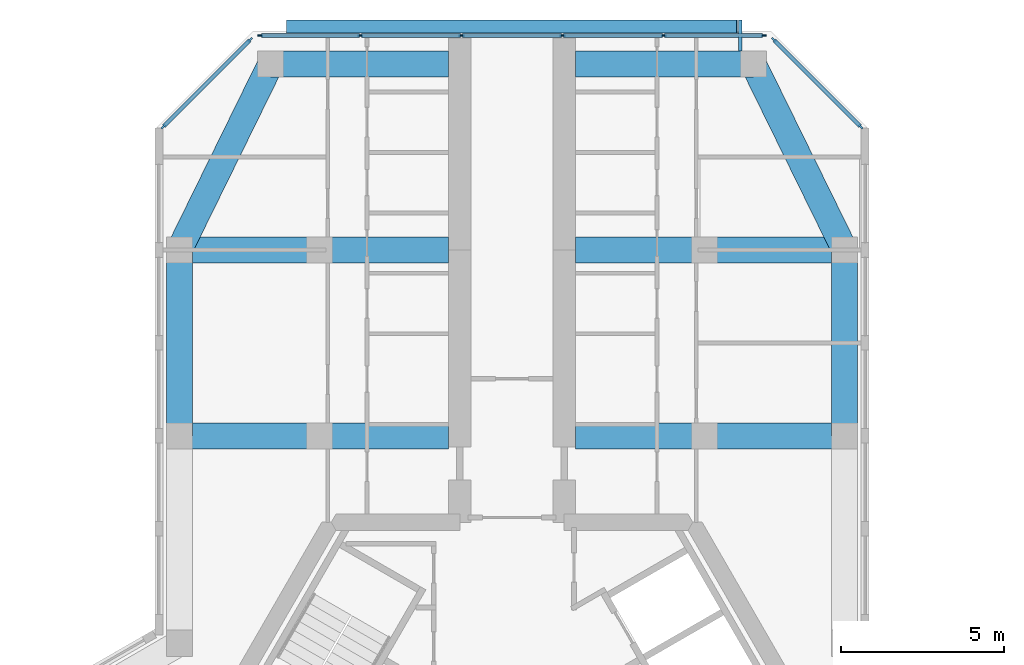
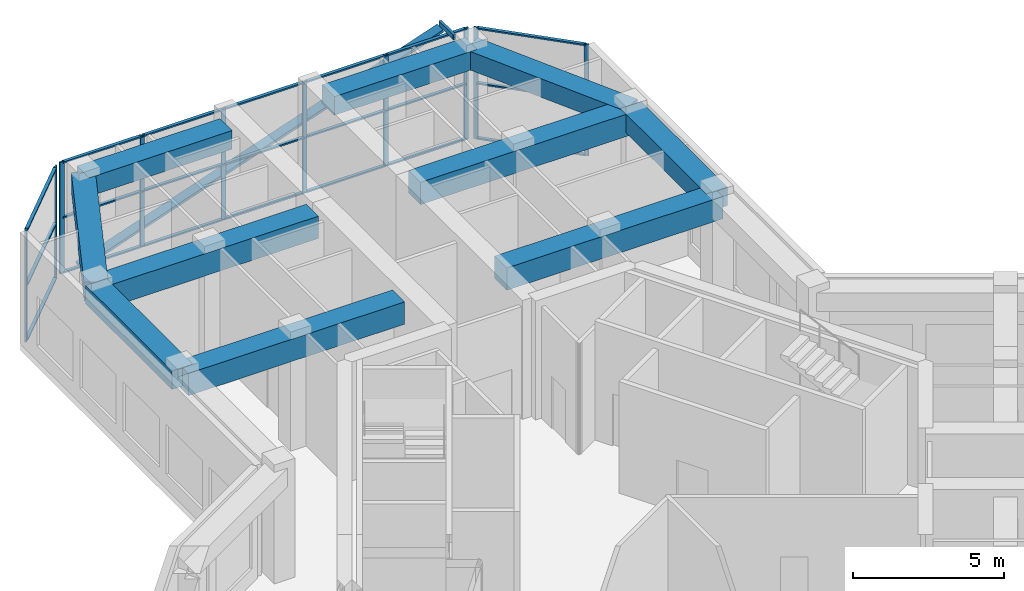
# One storey, part 5 of 14: 33 members, 10 beams, 3 elements without a shape of their own.
"""IFC4 building model written with IfcOpenShell, lengths in metres."""

from ifc_helpers import new_model, si_unit, direction, frame, origin, origin_2d, place, context, subcontext, project, spatial, rectangle, hollow_rectangle, extrude, material, material_profile, profile_set, type_object, element, aggregate, save


model = new_model("IFC4")

# Units and contexts
model_context = context("Model", 3, precision=1e-05, world=origin(), true_north=direction((0.0, 1.0)))
body_context = subcontext(model_context, "Body", "Model", "MODEL_VIEW")
ifc_project = project(units=[si_unit("LENGTHUNIT", "METRE"), si_unit("AREAUNIT", "SQUARE_METRE"), si_unit("VOLUMEUNIT", "CUBIC_METRE"), si_unit("PLANEANGLEUNIT", "RADIAN"), si_unit("MASSUNIT", "GRAM", prefix="KILO")], contexts=[model_context])

# Site, building, storey
site_placement = place(None, origin())
site = spatial("IfcSite", under=ifc_project, at=site_placement, CompositionType="ELEMENT")
building_placement = place(site_placement, origin())
building = spatial("IfcBuilding", under=site, at=building_placement, Name="Kosmar Iwan School Tower", CompositionType="ELEMENT")
storey_placement = place(building_placement, frame((0.0, 0.0, 296.199951171875)))
storey = spatial("IfcBuildingStorey", under=building, at=storey_placement, Name="L75", CompositionType="ELEMENT", Elevation=296.199951171875)

# Members
ifc_material_1 = material(Name="Black anodised aluminium", Category="aluminium")
ifc_material_profile_1 = material_profile(ifc_material_1, rectangle(XDim=0.10009765625, YDim=0.39990234375, at=origin_2d()), Name="FIN 100x400")
ifc_profile_set_1 = profile_set([ifc_material_profile_1], Name="Black anodised aluminium")
member_type_1 = type_object("IfcMemberType", Name="Diagonal fin 100x400", PredefinedType="USERDEFINED", material=ifc_profile_set_1)
member_1_placement = place(storey_placement, frame((-6.898193359375, 24.800048828125, -0.14990234375), z_axis=(0.945528636551, 0.0, 0.325538933865), x_axis=(-0.325538933865, 0.0, 0.945528636551)))
element("IfcMember", 1, at=member_1_placement, inside=storey, type_object=member_type_1, Name="Diagonal fin L75-F08", ObjectType="FIN", PredefinedType="USERDEFINED", context=body_context, shape_type="SweptSolid", body=[
    extrude(rectangle(XDim=0.10009765625, YDim=0.39990234375, at=origin_2d()), origin(), (0.0, 0.0, 1.0), 14.59130859375),
])
ifc_material_2 = material(Name="Steel S355", Category="steel")
ifc_material_profile_2 = material_profile(ifc_material_2, hollow_rectangle(XDim=0.10009765625, YDim=0.199951171875, WallThickness=0.008056640625, at=origin_2d()), Name="RHS 200x100x8")
ifc_profile_set_2 = profile_set([ifc_material_profile_2], Name="Steel S355")
member_type_2 = type_object("IfcMemberType", Name="Fin bracket RHS 200x100", PredefinedType="USERDEFINED", material=ifc_profile_set_2)
member_2_placement = place(storey_placement, frame((7.0, 24.050048828125, 4.650146484375), z_axis=(0.0, 1.0, 0.0), x_axis=(-1.0, 0.0, 0.0)))
element("IfcMember", 2, at=member_2_placement, inside=storey, type_object=member_type_2, Name="Fin bracket RF", ObjectType="FIN BRACKET", PredefinedType="USERDEFINED", context=body_context, shape_type="SweptSolid", body=[
    extrude(hollow_rectangle(XDim=0.10009765625, YDim=0.199951171875, WallThickness=0.008056640625, at=origin_2d()), origin(), (0.0, 0.0, 1.0), 0.949951171875),
])

# Curtain wall, members
ifc_material_3 = material(Name="Dark glass in black aluminium frame", Category="aluminium")
curtain_wall_type = type_object("IfcCurtainWallType", Name="Top floor curtain wall", PredefinedType="USERDEFINED", material=ifc_material_3)
curtain_wall_1_placement = place(storey_placement, origin())
curtain_wall_1 = element("IfcCurtainWall", 3, at=curtain_wall_1_placement, inside=storey, type_object=curtain_wall_type, Name="Curtain wall L75-F07", ObjectType="FULL HEIGHT CURTAIN WALL", PredefinedType="USERDEFINED")
ifc_material_4 = material(Name="Black anodised aluminium", Category="aluminium")
ifc_material_profile_3 = material_profile(ifc_material_4, rectangle(XDim=0.06005859375, YDim=0.159912109375, at=origin_2d()), Name="MULLION 60x160")
ifc_profile_set_3 = profile_set([ifc_material_profile_3], Name="Black anodised aluminium")
member_type_3 = type_object("IfcMemberType", Name="Mullion 60x160", PredefinedType="MULLION", material=ifc_profile_set_3)
member_3_placement = place(storey_placement, frame((10.69775390625, 21.7255859375, 0.0), z_axis=(0.0, 0.0, 1.0), x_axis=(-0.707106781187, -0.707106781187, 0.0)))
member_3 = element("IfcMember", 4, at=member_3_placement, type_object=member_type_3, Name="CW5 mullion 1", PredefinedType="MULLION", context=body_context, shape_type="SweptSolid", body=[
    extrude(rectangle(XDim=0.06005859375, YDim=0.159912109375, at=origin_2d()), origin(), (0.0, 0.0, 1.0), 4.5),
])
member_4_placement = place(storey_placement, frame((8.025390625, 24.397705078125, 0.0), z_axis=(0.0, 0.0, 1.0), x_axis=(-0.707106781187, -0.707106781187, 0.0)))
member_4 = element("IfcMember", 5, at=member_4_placement, type_object=member_type_3, Name="CW5 mullion 2", PredefinedType="MULLION", context=body_context, shape_type="SweptSolid", body=[
    extrude(rectangle(XDim=0.06005859375, YDim=0.159912109375, at=origin_2d()), origin(), (0.0, 0.0, 1.0), 4.5),
])

curtain_wall_2_placement = place(storey_placement, origin())
curtain_wall_2 = element("IfcCurtainWall", 6, at=curtain_wall_2_placement, inside=storey, type_object=curtain_wall_type, Name="Curtain wall L75-F08", ObjectType="FULL HEIGHT CURTAIN WALL", PredefinedType="USERDEFINED")
member_5_placement = place(storey_placement, frame((7.71826171875, 24.52490234375, 0.0), z_axis=(0.0, 0.0, 1.0), x_axis=(0.0, -1.0, 0.0)))
member_5 = element("IfcMember", 7, at=member_5_placement, type_object=member_type_3, Name="CW5 mullion 1", PredefinedType="MULLION", context=body_context, shape_type="SweptSolid", body=[
    extrude(rectangle(XDim=0.06005859375, YDim=0.159912109375, at=origin_2d()), origin(), (0.0, 0.0, 1.0), 4.5),
])
member_6_placement = place(storey_placement, frame((4.64892578125, 24.52490234375, 0.0), z_axis=(0.0, 0.0, 1.0), x_axis=(0.0, -1.0, 0.0)))
member_6 = element("IfcMember", 8, at=member_6_placement, type_object=member_type_3, Name="CW5 mullion 2", PredefinedType="MULLION", context=body_context, shape_type="SweptSolid", body=[
    extrude(rectangle(XDim=0.06005859375, YDim=0.159912109375, at=origin_2d()), origin(), (0.0, 0.0, 1.0), 4.5),
])
member_7_placement = place(storey_placement, frame((1.549560546875, 24.52490234375, 0.0), z_axis=(0.0, 0.0, 1.0), x_axis=(0.0, -1.0, 0.0)))
member_7 = element("IfcMember", 9, at=member_7_placement, type_object=member_type_3, Name="CW5 mullion 3", PredefinedType="MULLION", context=body_context, shape_type="SweptSolid", body=[
    extrude(rectangle(XDim=0.06005859375, YDim=0.159912109375, at=origin_2d()), origin(), (0.0, 0.0, 1.0), 4.5),
])
member_8_placement = place(storey_placement, frame((-1.549560546875, 24.52490234375, 0.0), z_axis=(0.0, 0.0, 1.0), x_axis=(0.0, -1.0, 0.0)))
member_8 = element("IfcMember", 10, at=member_8_placement, type_object=member_type_3, Name="CW5 mullion 4", PredefinedType="MULLION", context=body_context, shape_type="SweptSolid", body=[
    extrude(rectangle(XDim=0.06005859375, YDim=0.159912109375, at=origin_2d()), origin(), (0.0, 0.0, 1.0), 4.5),
])
member_9_placement = place(storey_placement, frame((-4.64892578125, 24.52490234375, 0.0), z_axis=(0.0, 0.0, 1.0), x_axis=(0.0, -1.0, 0.0)))
member_9 = element("IfcMember", 11, at=member_9_placement, type_object=member_type_3, Name="CW5 mullion 5", PredefinedType="MULLION", context=body_context, shape_type="SweptSolid", body=[
    extrude(rectangle(XDim=0.06005859375, YDim=0.159912109375, at=origin_2d()), origin(), (0.0, 0.0, 1.0), 4.5),
])
member_10_placement = place(storey_placement, frame((-7.71826171875, 24.52490234375, 0.0), z_axis=(0.0, 0.0, 1.0), x_axis=(0.0, -1.0, 0.0)))
member_10 = element("IfcMember", 12, at=member_10_placement, type_object=member_type_3, Name="CW5 mullion 6", PredefinedType="MULLION", context=body_context, shape_type="SweptSolid", body=[
    extrude(rectangle(XDim=0.06005859375, YDim=0.159912109375, at=origin_2d()), origin(), (0.0, 0.0, 1.0), 4.5),
])

curtain_wall_3_placement = place(storey_placement, origin())
curtain_wall_3 = element("IfcCurtainWall", 13, at=curtain_wall_3_placement, inside=storey, type_object=curtain_wall_type, Name="Curtain wall L75-F09", ObjectType="FULL HEIGHT CURTAIN WALL", PredefinedType="USERDEFINED")
member_11_placement = place(storey_placement, frame((-8.025390625, 24.397705078125, 0.0), z_axis=(0.0, 0.0, 1.0), x_axis=(0.707106781187, -0.707106781187, 0.0)))
member_11 = element("IfcMember", 14, at=member_11_placement, type_object=member_type_3, Name="CW5 mullion 1", PredefinedType="MULLION", context=body_context, shape_type="SweptSolid", body=[
    extrude(rectangle(XDim=0.06005859375, YDim=0.159912109375, at=origin_2d()), origin(), (0.0, 0.0, 1.0), 4.5),
])
member_12_placement = place(storey_placement, frame((-10.69775390625, 21.7255859375, 0.0), z_axis=(0.0, 0.0, 1.0), x_axis=(0.707106781187, -0.707106781187, 0.0)))
member_12 = element("IfcMember", 15, at=member_12_placement, type_object=member_type_3, Name="CW5 mullion 2", PredefinedType="MULLION", context=body_context, shape_type="SweptSolid", body=[
    extrude(rectangle(XDim=0.06005859375, YDim=0.159912109375, at=origin_2d()), origin(), (0.0, 0.0, 1.0), 4.5),
])

# Beams
ifc_material_5 = material(Name="Concrete C50/60", Category="concrete")
ifc_material_profile_4 = material_profile(ifc_material_5, rectangle(XDim=0.800048828125, YDim=0.75, at=origin_2d()), Name="RC 800x750")
ifc_profile_set_4 = profile_set([ifc_material_profile_4], Name="Concrete C50/60")
beam_type_1 = type_object("IfcBeamType", Name="RC edge beam 800x750", PredefinedType="BEAM", material=ifc_profile_set_4)
for number, where, z_axis, x_axis, name in (
    (16, (-10.199951171875, 12.25, 4.125), (0.0, 1.0, 0.0), (-1.0, 0.0, 0.0), "Edge beam AL2"),
    (17, (10.199951171875, 12.25, 4.125), (0.0, 1.0, 0.0), (-1.0, 0.0, 0.0), "Edge beam AR2"),
):
    element("IfcBeam", number, at=place(storey_placement, frame(where, z_axis=z_axis, x_axis=x_axis)), inside=storey, type_object=beam_type_1, Name=name, PredefinedType="BEAM", context=body_context, shape_type="SweptSolid", body=[
        extrude(rectangle(XDim=0.800048828125, YDim=0.75, at=origin_2d()), origin(), (0.0, 0.0, 1.0), 5.699951171875),
    ])
ifc_material_6 = material(Name="Concrete C50/60", Category="concrete")
ifc_material_profile_5 = material_profile(ifc_material_6, rectangle(XDim=0.800048828125, YDim=0.75, at=origin_2d()), Name="RC 800x750")
ifc_profile_set_5 = profile_set([ifc_material_profile_5], Name="Concrete C50/60")
beam_type_2 = type_object("IfcBeamType", Name="RC tip beam 800x750", PredefinedType="BEAM", material=ifc_profile_set_5)
beam_1_placement = place(storey_placement, frame((-10.199951171875, 17.949951171875, 4.125), z_axis=(0.440913116462, 0.897549788999, 0.0), x_axis=(-0.897549788999, 0.440913116462, 0.0)))
element("IfcBeam", 18, at=beam_1_placement, inside=storey, type_object=beam_type_2, Name="Tip beam AL", PredefinedType="BEAM", context=body_context, shape_type="SweptSolid", body=[
    extrude(rectangle(XDim=0.800048828125, YDim=0.75, at=origin_2d()), origin(), (0.0, 0.0, 1.0), 6.3505859375),
])
beam_2_placement = place(storey_placement, frame((-7.39990234375, 23.64990234375, 4.125), z_axis=(1.0, 0.0, 0.0), x_axis=(0.0, 1.0, 0.0)))
element("IfcBeam", 19, at=beam_2_placement, inside=storey, type_object=beam_type_2, Name="Tip beam AL to corridor wall", PredefinedType="BEAM", context=body_context, shape_type="SweptSolid", body=[
    extrude(rectangle(XDim=0.800048828125, YDim=0.75, at=origin_2d()), origin(), (0.0, 0.0, 1.0), 5.449951171875),
])
beam_3_placement = place(storey_placement, frame((10.199951171875, 17.949951171875, 4.125), z_axis=(-0.440913116462, 0.897549788999, 0.0), x_axis=(-0.897549788999, -0.440913116462, 0.0)))
element("IfcBeam", 20, at=beam_3_placement, inside=storey, type_object=beam_type_2, Name="Tip beam AR", PredefinedType="BEAM", context=body_context, shape_type="SweptSolid", body=[
    extrude(rectangle(XDim=0.800048828125, YDim=0.75, at=origin_2d()), origin(), (0.0, 0.0, 1.0), 6.3505859375),
])
beam_4_placement = place(storey_placement, frame((7.39990234375, 23.64990234375, 4.125), z_axis=(-1.0, 0.0, 0.0), x_axis=(0.0, -1.0, 0.0)))
element("IfcBeam", 21, at=beam_4_placement, inside=storey, type_object=beam_type_2, Name="Tip beam AR to corridor wall", PredefinedType="BEAM", context=body_context, shape_type="SweptSolid", body=[
    extrude(rectangle(XDim=0.800048828125, YDim=0.75, at=origin_2d()), origin(), (0.0, 0.0, 1.0), 5.449951171875),
])
ifc_material_7 = material(Name="Concrete C50/60", Category="concrete")
ifc_material_profile_6 = material_profile(ifc_material_7, rectangle(XDim=0.800048828125, YDim=0.89990234375, at=origin_2d()), Name="RC 800x900")
ifc_profile_set_6 = profile_set([ifc_material_profile_6], Name="Concrete C50/60")
beam_type_3 = type_object("IfcBeamType", Name="RC transverse beam 800x900", PredefinedType="BEAM", material=ifc_profile_set_6)
for number, where, z_axis, x_axis, name in (
    (22, (-10.199951171875, 12.25, 4.050048828125), (1.0, 0.0, 0.0), (0.0, 1.0, 0.0), "Transverse beam AL1"),
    (23, (-10.199951171875, 17.949951171875, 4.050048828125), (1.0, 0.0, 0.0), (0.0, 1.0, 0.0), "Transverse beam AL2"),
    (24, (10.199951171875, 12.25, 4.050048828125), (-1.0, 0.0, 0.0), (0.0, -1.0, 0.0), "Transverse beam AR1"),
    (25, (10.199951171875, 17.949951171875, 4.050048828125), (-1.0, 0.0, 0.0), (0.0, -1.0, 0.0), "Transverse beam AR2"),
):
    element("IfcBeam", number, at=place(storey_placement, frame(where, z_axis=z_axis, x_axis=x_axis)), inside=storey, type_object=beam_type_3, Name=name, PredefinedType="BEAM", context=body_context, shape_type="SweptSolid", body=[
        extrude(rectangle(XDim=0.800048828125, YDim=0.89990234375, at=origin_2d()), origin(), (0.0, 0.0, 1.0), 8.25),
    ])

# Member
ifc_material_8 = material(Name="Black anodised aluminium", Category="aluminium")
ifc_material_profile_7 = material_profile(ifc_material_8, rectangle(XDim=0.1201171875, YDim=0.06005859375, at=origin_2d()), Name="TRANSOM 60x120")
ifc_profile_set_7 = profile_set([ifc_material_profile_7], Name="Black anodised aluminium")
member_type_4 = type_object("IfcMemberType", Name="Transom 60x120", PredefinedType="USERDEFINED", material=ifc_profile_set_7)
member_13_placement = place(storey_placement, frame((10.676513671875, 21.746826171875, 0.030029296875), z_axis=(-0.707139603466, 0.707073957383, 0.0), x_axis=(-0.707073957383, -0.707139603466, 0.0)))
member_13 = element("IfcMember", 26, at=member_13_placement, type_object=member_type_4, Name="CW5 transom 1.1", ObjectType="TRANSOM", PredefinedType="USERDEFINED", context=body_context, shape_type="SweptSolid", body=[
    extrude(rectangle(XDim=0.1201171875, YDim=0.06005859375, at=origin_2d()), origin(), (0.0, 0.0, 1.0), 3.718994140625),
])

member_14_placement = place(storey_placement, frame((10.676513671875, 21.746826171875, 2.25), z_axis=(-0.707139603466, 0.707073957383, 0.0), x_axis=(-0.707073957383, -0.707139603466, 0.0)))
member_14 = element("IfcMember", 27, at=member_14_placement, type_object=member_type_4, Name="CW5 transom 1.2", ObjectType="TRANSOM", PredefinedType="USERDEFINED", context=body_context, shape_type="SweptSolid", body=[
    extrude(rectangle(XDim=0.1201171875, YDim=0.06005859375, at=origin_2d()), origin(), (0.0, 0.0, 1.0), 3.718994140625),
])

member_15_placement = place(storey_placement, frame((10.676513671875, 21.746826171875, 4.469970703125), z_axis=(-0.707139603466, 0.707073957383, 0.0), x_axis=(-0.707073957383, -0.707139603466, 0.0)))
member_15 = element("IfcMember", 28, at=member_15_placement, type_object=member_type_4, Name="CW5 transom 1.3", ObjectType="TRANSOM", PredefinedType="USERDEFINED", context=body_context, shape_type="SweptSolid", body=[
    extrude(rectangle(XDim=0.1201171875, YDim=0.06005859375, at=origin_2d()), origin(), (0.0, 0.0, 1.0), 3.718994140625),
])

aggregate(curtain_wall_1, [member_3, member_4, member_13, member_14, member_15])

member_16_placement = place(storey_placement, frame((7.688232421875, 24.52490234375, 0.030029296875), z_axis=(-1.0, 0.0, 0.0), x_axis=(0.0, -1.0, 0.0)))
member_16 = element("IfcMember", 29, at=member_16_placement, type_object=member_type_4, Name="CW5 transom 1.1", ObjectType="TRANSOM", PredefinedType="USERDEFINED", context=body_context, shape_type="SweptSolid", body=[
    extrude(rectangle(XDim=0.1201171875, YDim=0.06005859375, at=origin_2d()), origin(), (0.0, 0.0, 1.0), 3.00927734375),
])

member_17_placement = place(storey_placement, frame((7.688232421875, 24.52490234375, 2.25), z_axis=(-1.0, 0.0, 0.0), x_axis=(0.0, -1.0, 0.0)))
member_17 = element("IfcMember", 30, at=member_17_placement, type_object=member_type_4, Name="CW5 transom 1.2", ObjectType="TRANSOM", PredefinedType="USERDEFINED", context=body_context, shape_type="SweptSolid", body=[
    extrude(rectangle(XDim=0.1201171875, YDim=0.06005859375, at=origin_2d()), origin(), (0.0, 0.0, 1.0), 3.00927734375),
])

member_18_placement = place(storey_placement, frame((7.688232421875, 24.52490234375, 4.469970703125), z_axis=(-1.0, 0.0, 0.0), x_axis=(0.0, -1.0, 0.0)))
member_18 = element("IfcMember", 31, at=member_18_placement, type_object=member_type_4, Name="CW5 transom 1.3", ObjectType="TRANSOM", PredefinedType="USERDEFINED", context=body_context, shape_type="SweptSolid", body=[
    extrude(rectangle(XDim=0.1201171875, YDim=0.06005859375, at=origin_2d()), origin(), (0.0, 0.0, 1.0), 3.00927734375),
])

member_19_placement = place(storey_placement, frame((4.618896484375, 24.52490234375, 0.030029296875), z_axis=(-1.0, 0.0, 0.0), x_axis=(0.0, -1.0, 0.0)))
member_19 = element("IfcMember", 32, at=member_19_placement, type_object=member_type_4, Name="CW5 transom 2.1", ObjectType="TRANSOM", PredefinedType="USERDEFINED", context=body_context, shape_type="SweptSolid", body=[
    extrude(rectangle(XDim=0.1201171875, YDim=0.06005859375, at=origin_2d()), origin(), (0.0, 0.0, 1.0), 3.039306640625),
])

member_20_placement = place(storey_placement, frame((4.618896484375, 24.52490234375, 2.25), z_axis=(-1.0, 0.0, 0.0), x_axis=(0.0, -1.0, 0.0)))
member_20 = element("IfcMember", 33, at=member_20_placement, type_object=member_type_4, Name="CW5 transom 2.2", ObjectType="TRANSOM", PredefinedType="USERDEFINED", context=body_context, shape_type="SweptSolid", body=[
    extrude(rectangle(XDim=0.1201171875, YDim=0.06005859375, at=origin_2d()), origin(), (0.0, 0.0, 1.0), 3.039306640625),
])

member_21_placement = place(storey_placement, frame((4.618896484375, 24.52490234375, 4.469970703125), z_axis=(-1.0, 0.0, 0.0), x_axis=(0.0, -1.0, 0.0)))
member_21 = element("IfcMember", 34, at=member_21_placement, type_object=member_type_4, Name="CW5 transom 2.3", ObjectType="TRANSOM", PredefinedType="USERDEFINED", context=body_context, shape_type="SweptSolid", body=[
    extrude(rectangle(XDim=0.1201171875, YDim=0.06005859375, at=origin_2d()), origin(), (0.0, 0.0, 1.0), 3.039306640625),
])

member_22_placement = place(storey_placement, frame((1.51953125, 24.52490234375, 0.030029296875), z_axis=(-1.0, 0.0, 0.0), x_axis=(0.0, -1.0, 0.0)))
member_22 = element("IfcMember", 35, at=member_22_placement, type_object=member_type_4, Name="CW5 transom 3.1", ObjectType="TRANSOM", PredefinedType="USERDEFINED", context=body_context, shape_type="SweptSolid", body=[
    extrude(rectangle(XDim=0.1201171875, YDim=0.06005859375, at=origin_2d()), origin(), (0.0, 0.0, 1.0), 3.0390625),
])

member_23_placement = place(storey_placement, frame((1.51953125, 24.52490234375, 2.25), z_axis=(-1.0, 0.0, 0.0), x_axis=(0.0, -1.0, 0.0)))
member_23 = element("IfcMember", 36, at=member_23_placement, type_object=member_type_4, Name="CW5 transom 3.2", ObjectType="TRANSOM", PredefinedType="USERDEFINED", context=body_context, shape_type="SweptSolid", body=[
    extrude(rectangle(XDim=0.1201171875, YDim=0.06005859375, at=origin_2d()), origin(), (0.0, 0.0, 1.0), 3.0390625),
])

member_24_placement = place(storey_placement, frame((1.51953125, 24.52490234375, 4.469970703125), z_axis=(-1.0, 0.0, 0.0), x_axis=(0.0, -1.0, 0.0)))
member_24 = element("IfcMember", 37, at=member_24_placement, type_object=member_type_4, Name="CW5 transom 3.3", ObjectType="TRANSOM", PredefinedType="USERDEFINED", context=body_context, shape_type="SweptSolid", body=[
    extrude(rectangle(XDim=0.1201171875, YDim=0.06005859375, at=origin_2d()), origin(), (0.0, 0.0, 1.0), 3.0390625),
])

member_25_placement = place(storey_placement, frame((-1.57958984375, 24.52490234375, 0.030029296875), z_axis=(-1.0, 0.0, 0.0), x_axis=(0.0, -1.0, 0.0)))
member_25 = element("IfcMember", 38, at=member_25_placement, type_object=member_type_4, Name="CW5 transom 4.1", ObjectType="TRANSOM", PredefinedType="USERDEFINED", context=body_context, shape_type="SweptSolid", body=[
    extrude(rectangle(XDim=0.1201171875, YDim=0.06005859375, at=origin_2d()), origin(), (0.0, 0.0, 1.0), 3.039306640625),
])

member_26_placement = place(storey_placement, frame((-1.57958984375, 24.52490234375, 2.25), z_axis=(-1.0, 0.0, 0.0), x_axis=(0.0, -1.0, 0.0)))
member_26 = element("IfcMember", 39, at=member_26_placement, type_object=member_type_4, Name="CW5 transom 4.2", ObjectType="TRANSOM", PredefinedType="USERDEFINED", context=body_context, shape_type="SweptSolid", body=[
    extrude(rectangle(XDim=0.1201171875, YDim=0.06005859375, at=origin_2d()), origin(), (0.0, 0.0, 1.0), 3.039306640625),
])

member_27_placement = place(storey_placement, frame((-1.57958984375, 24.52490234375, 4.469970703125), z_axis=(-1.0, 0.0, 0.0), x_axis=(0.0, -1.0, 0.0)))
member_27 = element("IfcMember", 40, at=member_27_placement, type_object=member_type_4, Name="CW5 transom 4.3", ObjectType="TRANSOM", PredefinedType="USERDEFINED", context=body_context, shape_type="SweptSolid", body=[
    extrude(rectangle(XDim=0.1201171875, YDim=0.06005859375, at=origin_2d()), origin(), (0.0, 0.0, 1.0), 3.039306640625),
])

member_28_placement = place(storey_placement, frame((-4.678955078125, 24.52490234375, 0.030029296875), z_axis=(-1.0, 0.0, 0.0), x_axis=(0.0, -1.0, 0.0)))
member_28 = element("IfcMember", 41, at=member_28_placement, type_object=member_type_4, Name="CW5 transom 5.1", ObjectType="TRANSOM", PredefinedType="USERDEFINED", context=body_context, shape_type="SweptSolid", body=[
    extrude(rectangle(XDim=0.1201171875, YDim=0.06005859375, at=origin_2d()), origin(), (0.0, 0.0, 1.0), 3.00927734375),
])

member_29_placement = place(storey_placement, frame((-4.678955078125, 24.52490234375, 2.25), z_axis=(-1.0, 0.0, 0.0), x_axis=(0.0, -1.0, 0.0)))
member_29 = element("IfcMember", 42, at=member_29_placement, type_object=member_type_4, Name="CW5 transom 5.2", ObjectType="TRANSOM", PredefinedType="USERDEFINED", context=body_context, shape_type="SweptSolid", body=[
    extrude(rectangle(XDim=0.1201171875, YDim=0.06005859375, at=origin_2d()), origin(), (0.0, 0.0, 1.0), 3.00927734375),
])

member_30_placement = place(storey_placement, frame((-4.678955078125, 24.52490234375, 4.469970703125), z_axis=(-1.0, 0.0, 0.0), x_axis=(0.0, -1.0, 0.0)))
member_30 = element("IfcMember", 43, at=member_30_placement, type_object=member_type_4, Name="CW5 transom 5.3", ObjectType="TRANSOM", PredefinedType="USERDEFINED", context=body_context, shape_type="SweptSolid", body=[
    extrude(rectangle(XDim=0.1201171875, YDim=0.06005859375, at=origin_2d()), origin(), (0.0, 0.0, 1.0), 3.00927734375),
])

aggregate(curtain_wall_2, [member_5, member_6, member_7, member_8, member_9, member_10, member_16, member_17, member_18, member_19, member_20, member_21, member_22, member_23, member_24, member_25, member_26, member_27, member_28, member_29, member_30])

member_31_placement = place(storey_placement, frame((-8.046630859375, 24.37646484375, 0.030029296875), z_axis=(-0.707139603466, -0.707073957383, 0.0), x_axis=(0.707073957383, -0.707139603466, 0.0)))
member_31 = element("IfcMember", 44, at=member_31_placement, type_object=member_type_4, Name="CW5 transom 1.1", ObjectType="TRANSOM", PredefinedType="USERDEFINED", context=body_context, shape_type="SweptSolid", body=[
    extrude(rectangle(XDim=0.1201171875, YDim=0.06005859375, at=origin_2d()), origin(), (0.0, 0.0, 1.0), 3.718994140625),
])

member_32_placement = place(storey_placement, frame((-8.046630859375, 24.37646484375, 2.25), z_axis=(-0.707139603466, -0.707073957383, 0.0), x_axis=(0.707073957383, -0.707139603466, 0.0)))
member_32 = element("IfcMember", 45, at=member_32_placement, type_object=member_type_4, Name="CW5 transom 1.2", ObjectType="TRANSOM", PredefinedType="USERDEFINED", context=body_context, shape_type="SweptSolid", body=[
    extrude(rectangle(XDim=0.1201171875, YDim=0.06005859375, at=origin_2d()), origin(), (0.0, 0.0, 1.0), 3.718994140625),
])

member_33_placement = place(storey_placement, frame((-8.046630859375, 24.37646484375, 4.469970703125), z_axis=(-0.707139603466, -0.707073957383, 0.0), x_axis=(0.707073957383, -0.707139603466, 0.0)))
member_33 = element("IfcMember", 46, at=member_33_placement, type_object=member_type_4, Name="CW5 transom 1.3", ObjectType="TRANSOM", PredefinedType="USERDEFINED", context=body_context, shape_type="SweptSolid", body=[
    extrude(rectangle(XDim=0.1201171875, YDim=0.06005859375, at=origin_2d()), origin(), (0.0, 0.0, 1.0), 3.718994140625),
])

aggregate(curtain_wall_3, [member_11, member_12, member_31, member_32, member_33])

save(model, "model.ifc")
